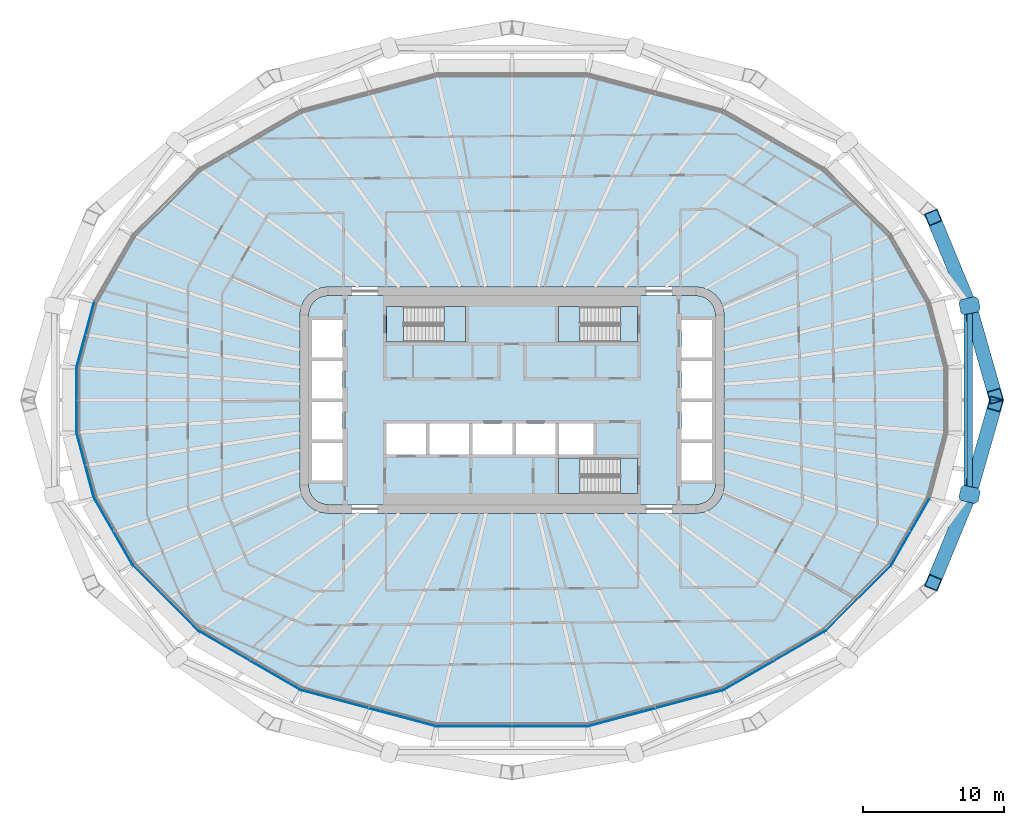
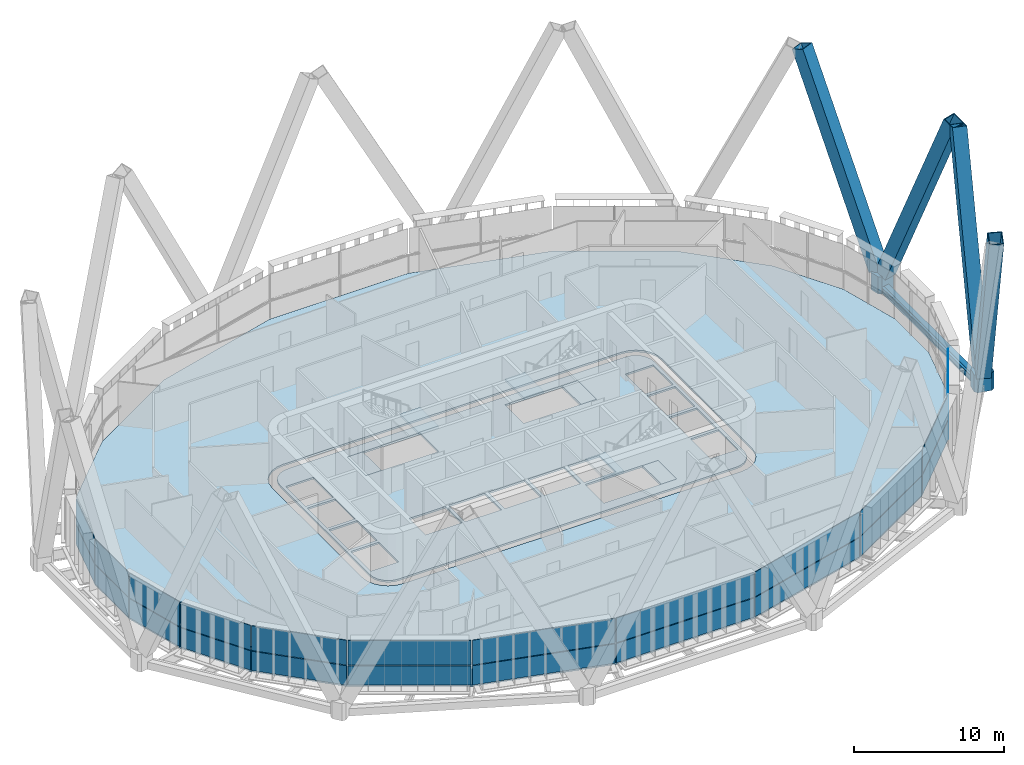
# One storey, part 12 of 25: 24 plates, 8 slabs, 6 members, 2 beams, 15 elements without a shape of their own.
"""IFC4 building model written with IfcOpenShell, lengths in metres."""

from ifc_helpers import new_model, si_unit, direction, frame, origin, origin_2d, place, context, subcontext, project, spatial, polyline, hollow_rectangle, i_section, outline, extrude, material, layer, layer_set, material_profile, profile_set, type_object, element, aggregate, save


model = new_model("IFC4")

# Units and contexts
model_context = context("Model", 3, precision=1e-05, world=origin(), true_north=direction((0.0, 1.0)))
body_context = subcontext(model_context, "Body", "Model", "MODEL_VIEW")
ifc_project = project(units=[si_unit("LENGTHUNIT", "METRE"), si_unit("AREAUNIT", "SQUARE_METRE"), si_unit("VOLUMEUNIT", "CUBIC_METRE"), si_unit("PLANEANGLEUNIT", "RADIAN"), si_unit("MASSUNIT", "GRAM", prefix="KILO")], contexts=[model_context])

# Site, building, storey
site_placement = place(None, origin())
site = spatial("IfcSite", under=ifc_project, at=site_placement, CompositionType="ELEMENT")
building_placement = place(site_placement, origin())
building = spatial("IfcBuilding", under=site, at=building_placement, Name="Sahrelin Media Tower", CompositionType="ELEMENT")
storey_placement = place(building_placement, frame((0.0, 0.0, 63.0)))
storey = spatial("IfcBuildingStorey", under=building, at=storey_placement, Name="L10", CompositionType="ELEMENT", Elevation=63.0)

# Members
ifc_material_1 = material(Name="Steel S460", Category="steel")
ifc_material_profile_1 = material_profile(ifc_material_1, hollow_rectangle(XDim=1.0, YDim=1.0, WallThickness=0.06005859375, at=origin_2d()), Name="Diagrid diagonal DG1")
ifc_profile_set_1 = profile_set([ifc_material_profile_1], Name="Steel S460")
member_type_1 = type_object("IfcMemberType", Name="Diagrid diagonal DG1", PredefinedType="BRACE", material=ifc_profile_set_1)
member_1_placement = place(storey_placement, frame((32.428466796875, 6.393798828125, 0.699951171875), z_axis=(0.104723795956, -0.367053461411, 0.924286039615), x_axis=(0.961626731907, 0.274361127862, 0.0)))
element("IfcMember", 1, at=member_1_placement, inside=storey, type_object=member_type_1, Name="Diagrid diagonal D01-00", PredefinedType="BRACE", context=body_context, shape_type="SweptSolid", body=[
    extrude(hollow_rectangle(XDim=1.0, YDim=1.0, WallThickness=0.06005859375, at=origin_2d()), origin(), (0.0, 0.0, 1.0), 16.66162109375),
])
for number, where, z_axis, x_axis, name in (
    (2, (32.2373046875, 6.943115234375, 0.699951171875), (-0.147434029779, 0.357371081902, 0.922252197982), (-0.92442176853, -0.381371726623, 0.0), "Diagrid diagonal D01-01"),
    (3, (32.2373046875, -6.943115234375, 0.699951171875), (-0.147434029779, -0.357371081902, 0.922252197982), (0.92442176853, -0.381371726623, 0.0), "Diagrid diagonal D01-22"),
):
    element("IfcMember", number, at=place(storey_placement, frame(where, z_axis=z_axis, x_axis=x_axis)), inside=storey, type_object=member_type_1, Name=name, PredefinedType="BRACE", context=body_context, shape_type="SweptSolid", body=[
        extrude(hollow_rectangle(XDim=1.0, YDim=1.0, WallThickness=0.06005859375, at=origin_2d()), origin(), (0.0, 0.0, 1.0), 16.698486328125),
    ])
member_2_placement = place(storey_placement, frame((32.428466796875, -6.393798828125, 0.699951171875), z_axis=(0.104723795956, 0.367053461411, 0.924286039615), x_axis=(-0.961626731907, 0.274361127862, 0.0)))
element("IfcMember", 4, at=member_2_placement, inside=storey, type_object=member_type_1, Name="Diagrid diagonal D01-23", PredefinedType="BRACE", context=body_context, shape_type="SweptSolid", body=[
    extrude(hollow_rectangle(XDim=1.0, YDim=1.0, WallThickness=0.06005859375, at=origin_2d()), origin(), (0.0, 0.0, 1.0), 16.66162109375),
])
ifc_material_profile_2 = material_profile(ifc_material_1, outline(polyline([(0.5, -0.550048828125), (0.699951171875, -0.35009765625), (0.699951171875, 0.35009765625), (0.5, 0.550048828125), (-0.5, 0.550048828125), (-0.699951171875, 0.35009765625), (-0.699951171875, -0.35009765625), (-0.5, -0.550048828125), (0.5, -0.550048828125)])), Name="Diagrid node block 1400")
ifc_profile_set_2 = profile_set([ifc_material_profile_2], Name="Steel S460")
member_type_2 = type_object("IfcMemberType", Name="Diagrid node block 1400", PredefinedType="USERDEFINED", material=ifc_profile_set_2)
for number, where, z_axis, x_axis, name in (
    (5, (32.34912109375, 6.671630859375, -0.699951171875), (0.0, 0.0, 1.0), (0.979387770926, 0.201989094163, 0.0), "Diagrid node N01-00"),
    (6, (32.34912109375, -6.671630859375, -0.699951171875), (0.0, 0.0, 1.0), (0.979387770926, -0.201989094163, 0.0), "Diagrid node N01-11"),
):
    element("IfcMember", number, at=place(storey_placement, frame(where, z_axis=z_axis, x_axis=x_axis)), inside=storey, type_object=member_type_2, Name=name, ObjectType="NODE", PredefinedType="USERDEFINED", context=body_context, shape_type="SweptSolid", body=[
        extrude(outline(polyline([(0.5, -0.550048828125), (0.699951171875, -0.35009765625), (0.699951171875, 0.35009765625), (0.5, 0.550048828125), (-0.5, 0.550048828125), (-0.699951171875, 0.35009765625), (-0.699951171875, -0.35009765625), (-0.5, -0.550048828125), (0.5, -0.550048828125)])), origin(), (0.0, 0.0, 1.0), 1.39990234375),
    ])

# Beams
ifc_material_profile_3 = material_profile(ifc_material_1, hollow_rectangle(XDim=0.39990234375, YDim=0.60009765625, WallThickness=0.030029296875, at=origin_2d()), Name="Diagrid ring beam RB1")
ifc_profile_set_3 = profile_set([ifc_material_profile_3], Name="Steel S460")
beam_type_1 = type_object("IfcBeamType", Name="Diagrid ring beam RB1", PredefinedType="BEAM", material=ifc_profile_set_3)
beam_1_placement = place(storey_placement, frame((32.34912109375, -6.671630859375, -0.449951171875), z_axis=(0.0, 1.0, 0.0), x_axis=(-1.0, 0.0, 0.0)))
element("IfcBeam", 7, at=beam_1_placement, inside=storey, type_object=beam_type_1, Name="Diagrid ring beam RB01-11", PredefinedType="BEAM", context=body_context, shape_type="SweptSolid", body=[
    extrude(hollow_rectangle(XDim=0.39990234375, YDim=0.60009765625, WallThickness=0.030029296875, at=origin_2d()), origin(), (0.0, 0.0, 1.0), 13.34326171875),
])
ifc_material_2 = material(Name="Steel S355", Category="steel")
ifc_material_profile_4 = material_profile(ifc_material_2, i_section(OverallWidth=0.1904296875, OverallDepth=0.45703125, WebThickness=0.009033203125, FlangeThickness=0.014404296875, FilletRadius=0.01025390625, at=origin_2d()), Name="UB 457x191x74")
ifc_profile_set_4 = profile_set([ifc_material_profile_4], Name="Steel S355")
beam_type_2 = type_object("IfcBeamType", Name="Tie chord TC5", PredefinedType="BEAM", material=ifc_profile_set_4)
beam_2_placement = place(storey_placement, frame((32.049072265625, 6.571533203125, -0.37841796875), z_axis=(0.0, -1.0, 0.0), x_axis=(1.0, 0.0, 0.0)))
element("IfcBeam", 8, at=beam_2_placement, inside=storey, type_object=beam_type_2, Name="Tie chord L10-01", PredefinedType="BEAM", context=body_context, shape_type="SweptSolid", body=[
    extrude(i_section(OverallWidth=0.1904296875, OverallDepth=0.45703125, WebThickness=0.009033203125, FlangeThickness=0.014404296875, FilletRadius=0.01025390625, at=origin_2d()), origin(), (0.0, 0.0, 1.0), 13.14306640625),
])

# Slabs
ifc_material_3 = material(Name="Concrete C40/50", Category="concrete")
ifc_layer_1 = layer(ifc_material_3, 0.14990234375)
ifc_layer_set_1 = layer_set([ifc_layer_1], Name="Composite floor slab 150")
slab_type_1 = type_object("IfcSlabType", Name="Composite floor slab 150", PredefinedType="FLOOR", material=ifc_layer_set_1)
placement_1 = place(storey_placement, frame((0.0, 0.0, -0.14990234375)))
element("IfcSlab", 9, at=placement_1, inside=storey, type_object=slab_type_1, Name="Floor slab L10", PredefinedType="FLOOR", context=body_context, shape_type="SweptSolid", body=[
    extrude(outline(polyline([(30.770263671875, -2.291748046875), (30.770263671875, 2.291748046875), (29.529296875, 6.923095703125), (26.800048828125, 11.650390625), (22.10595703125, 16.344482421875), (14.932861328125, 20.48583984375), (5.335693359375, 23.057373046875), (-5.335693359375, 23.057373046875), (-14.932861328125, 20.48583984375), (-22.10595703125, 16.344482421875), (-26.800048828125, 11.650390625), (-29.529296875, 6.923095703125), (-30.770263671875, 2.291748046875), (-30.770263671875, -2.291748046875), (-29.529296875, -6.923095703125), (-26.800048828125, -11.650390625), (-22.10595703125, -16.344482421875), (-14.932861328125, -20.48583984375), (-5.335693359375, -23.057373046875), (5.335693359375, -23.057373046875), (14.932861328125, -20.48583984375), (22.10595703125, -16.344482421875), (26.800048828125, -11.650390625), (29.529296875, -6.923095703125), (30.770263671875, -2.291748046875)]), holes=[polyline([(14.931884765625, 6.517578125), (15.0, 6.0), (15.0, -6.0), (14.931884765625, -6.517578125), (14.732177734375, -7.0), (14.414306640625, -7.414306640625), (14.0, -7.732177734375), (13.517578125, -7.931884765625), (13.0, -8.0), (-13.0, -8.0), (-13.517578125, -7.931884765625), (-14.0, -7.732177734375), (-14.414306640625, -7.414306640625), (-14.732177734375, -7.0), (-14.931884765625, -6.517578125), (-15.0, -6.0), (-15.0, 6.0), (-14.931884765625, 6.517578125), (-14.732177734375, 7.0), (-14.414306640625, 7.414306640625), (-14.0, 7.732177734375), (-13.517578125, 7.931884765625), (-13.0, 8.0), (13.0, 8.0), (13.517578125, 7.931884765625), (14.0, 7.732177734375), (14.414306640625, 7.414306640625), (14.732177734375, 7.0), (14.931884765625, 6.517578125)])]), origin(), (0.0, 0.0, 1.0), 0.14990234375),
])
ifc_layer_2 = layer(ifc_material_3, 0.14990234375)
ifc_layer_set_2 = layer_set([ifc_layer_2], Name="Core floor slab 150")
slab_type_2 = type_object("IfcSlabType", Name="Core floor slab 150", PredefinedType="FLOOR", material=ifc_layer_set_2)
element("IfcSlab", 10, at=placement_1, inside=storey, type_object=slab_type_2, Name="Core floor", PredefinedType="FLOOR", context=body_context, shape_type="SweptSolid", body=[
    extrude(outline(polyline([(-14.347412109375, 6.361083984375), (-14.39990234375, 5.960693359375), (-14.39990234375, -5.960693359375), (-14.347412109375, -6.361083984375), (-14.2080078125, -6.697509765625), (-13.986328125, -6.986328125), (-13.697509765625, -7.2080078125), (-13.361083984375, -7.347412109375), (-12.960693359375, -7.39990234375), (12.960693359375, -7.39990234375), (13.361083984375, -7.347412109375), (13.697509765625, -7.2080078125), (13.986328125, -6.986328125), (14.2080078125, -6.697509765625), (14.347412109375, -6.361083984375), (14.39990234375, -5.960693359375), (14.39990234375, 5.960693359375), (14.347412109375, 6.361083984375), (14.2080078125, 6.697509765625), (13.986328125, 6.986328125), (13.697509765625, 7.2080078125), (13.361083984375, 7.347412109375), (12.960693359375, 7.39990234375), (-12.960693359375, 7.39990234375), (-13.361083984375, 7.347412109375), (-13.697509765625, 7.2080078125), (-13.986328125, 6.986328125), (-14.2080078125, 6.697509765625), (-14.347412109375, 6.361083984375)]), holes=[polyline([(-12.0, 3.02490234375), (-12.0, 5.675048828125), (-14.14990234375, 5.675048828125), (-14.14990234375, 3.02490234375), (-12.0, 3.02490234375)]), polyline([(-14.14990234375, 0.125), (-12.0, 0.125), (-12.0, 2.77490234375), (-14.14990234375, 2.77490234375), (-14.14990234375, 0.125)]), polyline([(-14.14990234375, -0.125), (-14.14990234375, -2.77490234375), (-12.0, -2.77490234375), (-12.0, -0.125), (-14.14990234375, -0.125)]), polyline([(-12.0, -3.02490234375), (-14.14990234375, -3.02490234375), (-14.14990234375, -5.675048828125), (-12.0, -5.675048828125), (-12.0, -3.02490234375)]), polyline([(14.14990234375, 3.02490234375), (14.14990234375, 5.675048828125), (12.0, 5.675048828125), (12.0, 3.02490234375), (14.14990234375, 3.02490234375)]), polyline([(12.0, 0.125), (14.14990234375, 0.125), (14.14990234375, 2.77490234375), (12.0, 2.77490234375), (12.0, 0.125)]), polyline([(12.0, -0.125), (12.0, -2.77490234375), (14.14990234375, -2.77490234375), (14.14990234375, -0.125), (12.0, -0.125)]), polyline([(14.14990234375, -3.02490234375), (12.0, -3.02490234375), (12.0, -5.675048828125), (14.14990234375, -5.675048828125), (14.14990234375, -3.02490234375)]), polyline([(-6.074951171875, -3.85009765625), (-6.074951171875, -1.64990234375), (-8.875, -1.64990234375), (-8.875, -3.85009765625), (-6.074951171875, -3.85009765625)]), polyline([(-5.824951171875, -3.85009765625), (-3.02490234375, -3.85009765625), (-3.02490234375, -1.64990234375), (-5.824951171875, -1.64990234375), (-5.824951171875, -3.85009765625)]), polyline([(-2.77490234375, -1.64990234375), (-2.77490234375, -3.85009765625), (0.02490234375, -3.85009765625), (0.02490234375, -1.64990234375), (-2.77490234375, -1.64990234375)]), polyline([(3.074951171875, -1.64990234375), (0.27490234375, -1.64990234375), (0.27490234375, -3.85009765625), (3.074951171875, -3.85009765625), (3.074951171875, -1.64990234375)]), polyline([(5.77490234375, -3.85009765625), (5.77490234375, -1.64990234375), (3.324951171875, -1.64990234375), (3.324951171875, -3.85009765625), (5.77490234375, -3.85009765625)]), polyline([(-8.875, 6.60009765625), (-8.875, 4.10009765625), (-3.27490234375, 4.10009765625), (-3.27490234375, 6.60009765625), (-8.875, 6.60009765625)]), polyline([(3.27490234375, 4.10009765625), (8.875, 4.10009765625), (8.875, 6.60009765625), (3.27490234375, 6.60009765625), (3.27490234375, 4.10009765625)]), polyline([(3.27490234375, -4.10009765625), (3.27490234375, -6.60009765625), (8.875, -6.60009765625), (8.875, -4.10009765625), (3.27490234375, -4.10009765625)])]), origin(), (0.0, 0.0, 1.0), 0.14990234375),
])

# Curtain wall, plate
ifc_material_4 = material(Name="Champagne anodised aluminium 6063-T6", Category="aluminium")
ifc_layer_3 = layer(ifc_material_4, 0.14990234375)
ifc_layer_set_3 = layer_set([ifc_layer_3], Name="Tower ribbon curtain wall")
curtain_wall_type = type_object("IfcCurtainWallType", Name="Tower ribbon curtain wall", PredefinedType="NOTDEFINED", material=ifc_layer_set_3)
curtain_wall_1_placement = place(storey_placement, frame((-30.169189453125, 4.612548828125, 0.0), z_axis=(0.0, 0.0, 1.0), x_axis=(1.0, 0.0, 0.0)))
curtain_wall_1 = element("IfcCurtainWall", 11, at=curtain_wall_1_placement, inside=storey, type_object=curtain_wall_type, Name="L10:CW:L10-11", PredefinedType="NOTDEFINED")
ifc_material_5 = material(Name="Clear low-iron glazing", Category="glass")
ifc_layer_4 = layer(ifc_material_5, 0.0400390625)
ifc_layer_set_4 = layer_set([ifc_layer_4], Name="Glazing panel 40 mm CW1")
plate_type_1 = type_object("IfcPlateType", Name="Glazing panel 40 mm CW1", PredefinedType="CURTAIN_PANEL", material=ifc_layer_set_4)
plate_1_placement = place(storey_placement, frame((-29.580322265625, 6.8876953125, 1.6298828125), z_axis=(-0.96593251702, 0.258794073665, 0.0), x_axis=(-0.258794073665, -0.96593251702, 0.0)))
plate_1 = element("IfcPlate", 12, at=plate_1_placement, type_object=plate_type_1, Name="L10:CWP2:L10-11", PredefinedType="CURTAIN_PANEL", context=body_context, shape_type="SweptSolid", body=[
    extrude(outline(polyline([(0.0, 0.0), (4.699951171875, 0.0), (4.699951171875, 2.018798828125), (0.0, 2.018798828125), (0.0, 0.0)])), origin(), (0.0, 0.0, -1.0), 0.0400390625),
])

curtain_wall_2_placement = place(storey_placement, frame((-30.790283203125, 0.0, 0.0), z_axis=(0.0, 0.0, 1.0), x_axis=(1.0, 0.0, 0.0)))
curtain_wall_2 = element("IfcCurtainWall", 13, at=curtain_wall_2_placement, inside=storey, type_object=curtain_wall_type, Name="L10:CW:L10-12", PredefinedType="NOTDEFINED")
plate_2_placement = place(storey_placement, frame((-30.810302734375, 2.244384765625, 1.6298828125), z_axis=(-1.0, 0.0, 0.0), x_axis=(0.0, -1.0, 0.0)))
plate_2 = element("IfcPlate", 14, at=plate_2_placement, type_object=plate_type_1, Name="L10:CWP2:L10-12", PredefinedType="CURTAIN_PANEL", context=body_context, shape_type="SweptSolid", body=[
    extrude(outline(polyline([(0.0, 0.0), (4.48876953125, 0.0), (4.48876953125, 2.018798828125), (0.0, 2.018798828125), (0.0, 0.0)])), origin(), (0.0, 0.0, -1.0), 0.0400390625),
])

curtain_wall_3_placement = place(storey_placement, frame((-30.169189453125, -4.612548828125, 0.0), z_axis=(0.0, 0.0, 1.0), x_axis=(1.0, 0.0, 0.0)))
curtain_wall_3 = element("IfcCurtainWall", 15, at=curtain_wall_3_placement, inside=storey, type_object=curtain_wall_type, Name="L10:CW:L10-13", PredefinedType="NOTDEFINED")
plate_3_placement = place(storey_placement, frame((-30.796630859375, -2.347900390625, 1.6298828125), z_axis=(-0.96593251702, -0.258794073665, 0.0), x_axis=(0.258794073665, -0.96593251702, 0.0)))
plate_3 = element("IfcPlate", 16, at=plate_3_placement, type_object=plate_type_1, Name="L10:CWP2:L10-13", PredefinedType="CURTAIN_PANEL", context=body_context, shape_type="SweptSolid", body=[
    extrude(outline(polyline([(0.0, 0.0), (4.699951171875, 0.0), (4.699951171875, 2.018798828125), (0.0, 2.018798828125), (0.0, 0.0)])), origin(), (0.0, 0.0, -1.0), 0.0400390625),
])

curtain_wall_4_placement = place(storey_placement, frame((-28.181884765625, -9.296630859375, 0.0), z_axis=(0.0, 0.0, 1.0), x_axis=(1.0, 0.0, 0.0)))
curtain_wall_4 = element("IfcCurtainWall", 17, at=curtain_wall_4_placement, inside=storey, type_object=curtain_wall_type, Name="L10:CW:L10-14", PredefinedType="NOTDEFINED")
plate_4_placement = place(storey_placement, frame((-29.540283203125, -6.98388671875, 1.6298828125), z_axis=(-0.866041582202, -0.499971977112, 0.0), x_axis=(0.499971977112, -0.866041582202, 0.0)))
plate_4 = element("IfcPlate", 18, at=plate_4_placement, type_object=plate_type_1, Name="L10:CWP2:L10-14", PredefinedType="CURTAIN_PANEL", context=body_context, shape_type="SweptSolid", body=[
    extrude(outline(polyline([(0.0, 0.0), (5.364013671875, 0.0), (5.364013671875, 2.018798828125), (0.0, 2.018798828125), (0.0, 0.0)])), origin(), (0.0, 0.0, -1.0), 0.0400390625),
])

curtain_wall_5_placement = place(storey_placement, frame((-24.46728515625, -14.011474609375, 0.0), z_axis=(0.0, 0.0, 1.0), x_axis=(1.0, 0.0, 0.0)))
curtain_wall_5 = element("IfcCurtainWall", 19, at=curtain_wall_5_placement, inside=storey, type_object=curtain_wall_type, Name="L10:CW:L10-15", PredefinedType="NOTDEFINED")
plate_5_placement = place(storey_placement, frame((-26.794921875, -11.712158203125, 1.6298828125), z_axis=(-0.707088126231, -0.70712543565, 0.0), x_axis=(0.70712543565, -0.707088126231, 0.0)))
plate_5 = element("IfcPlate", 20, at=plate_5_placement, type_object=plate_type_1, Name="L10:CWP2:L10-15", PredefinedType="CURTAIN_PANEL", context=body_context, shape_type="SweptSolid", body=[
    extrude(outline(polyline([(0.0, 0.0), (6.543701171875, 0.0), (6.543701171875, 2.018798828125), (0.0, 2.018798828125), (0.0, 0.0)])), origin(), (0.0, 0.0, -1.0), 0.0400390625),
])

curtain_wall_6_placement = place(storey_placement, frame((-18.529296875, -18.432373046875, 0.0), z_axis=(0.0, 0.0, 1.0), x_axis=(1.0, 0.0, 0.0)))
curtain_wall_6 = element("IfcCurtainWall", 21, at=curtain_wall_6_placement, inside=storey, type_object=curtain_wall_type, Name="L10:CW:L10-16", PredefinedType="NOTDEFINED")
plate_6_placement = place(storey_placement, frame((-22.0849609375, -16.402587890625, 1.6298828125), z_axis=(-0.500019263395, -0.866014281772, 0.0), x_axis=(0.866014281772, -0.500019263395, 0.0)))
plate_6 = element("IfcPlate", 22, at=plate_6_placement, type_object=plate_type_1, Name="L10:CWP2:L10-16", PredefinedType="CURTAIN_PANEL", context=body_context, shape_type="SweptSolid", body=[
    extrude(outline(polyline([(0.0, 0.0), (8.188232421875, 0.0), (8.188232421875, 2.018798828125), (0.0, 2.018798828125), (0.0, 0.0)])), origin(), (0.0, 0.0, -1.0), 0.0400390625),
])

curtain_wall_7_placement = place(storey_placement, frame((-10.139404296875, -21.791015625, 0.0), z_axis=(0.0, 0.0, 1.0), x_axis=(1.0, 0.0, 0.0)))
curtain_wall_7 = element("IfcCurtainWall", 23, at=curtain_wall_7_placement, inside=storey, type_object=curtain_wall_type, Name="L10:CW:L10-17", PredefinedType="NOTDEFINED")
plate_7_placement = place(storey_placement, frame((-14.8974609375, -20.536865234375, 1.6298828125), z_axis=(-0.258805115102, -0.965929558714, 0.0), x_axis=(0.965929558714, -0.258805115102, 0.0)))
plate_7 = element("IfcPlate", 24, at=plate_7_placement, type_object=plate_type_1, Name="L10:CWP2:L10-17", PredefinedType="CURTAIN_PANEL", context=body_context, shape_type="SweptSolid", body=[
    extrude(outline(polyline([(0.0, 0.0), (9.8408203125, 0.0), (9.8408203125, 2.018798828125), (0.0, 2.018798828125), (0.0, 0.0)])), origin(), (0.0, 0.0, -1.0), 0.0400390625),
])

curtain_wall_8_placement = place(storey_placement, frame((0.0, -23.077392578125, 0.0), z_axis=(0.0, 0.0, 1.0), x_axis=(1.0, 0.0, 0.0)))
curtain_wall_8 = element("IfcCurtainWall", 25, at=curtain_wall_8_placement, inside=storey, type_object=curtain_wall_type, Name="L10:CW:L10-18", PredefinedType="NOTDEFINED")
plate_8_placement = place(storey_placement, frame((-5.288330078125, -23.097412109375, 1.6298828125), z_axis=(0.0, -1.0, 0.0), x_axis=(1.0, 0.0, 0.0)))
plate_8 = element("IfcPlate", 26, at=plate_8_placement, type_object=plate_type_1, Name="L10:CWP2:L10-18", PredefinedType="CURTAIN_PANEL", context=body_context, shape_type="SweptSolid", body=[
    extrude(outline(polyline([(0.0, 0.0), (10.57666015625, 0.0), (10.57666015625, 2.018798828125), (0.0, 2.018798828125), (0.0, 0.0)])), origin(), (0.0, 0.0, -1.0), 0.0400390625),
])

curtain_wall_9_placement = place(storey_placement, frame((10.139404296875, -21.791015625, 0.0), z_axis=(0.0, 0.0, 1.0), x_axis=(1.0, 0.0, 0.0)))
curtain_wall_9 = element("IfcCurtainWall", 27, at=curtain_wall_9_placement, inside=storey, type_object=curtain_wall_type, Name="L10:CW:L10-19", PredefinedType="NOTDEFINED")
plate_9_placement = place(storey_placement, frame((5.391845703125, -23.083740234375, 1.6298828125), z_axis=(0.258805115102, -0.965929558714, 0.0), x_axis=(0.965929558714, 0.258805115102, 0.0)))
plate_9 = element("IfcPlate", 28, at=plate_9_placement, type_object=plate_type_1, Name="L10:CWP2:L10-19", PredefinedType="CURTAIN_PANEL", context=body_context, shape_type="SweptSolid", body=[
    extrude(outline(polyline([(0.0, 0.0), (9.8408203125, 0.0), (9.8408203125, 2.018798828125), (0.0, 2.018798828125), (0.0, 0.0)])), origin(), (0.0, 0.0, -1.0), 0.0400390625),
])

curtain_wall_10_placement = place(storey_placement, frame((18.529296875, -18.4326171875, 0.0), z_axis=(0.0, 0.0, 1.0), x_axis=(1.0, 0.0, 0.0)))
curtain_wall_10 = element("IfcCurtainWall", 29, at=curtain_wall_10_placement, inside=storey, type_object=curtain_wall_type, Name="L10:CW:L10-20", PredefinedType="NOTDEFINED")
plate_10_placement = place(storey_placement, frame((14.993896484375, -20.496826171875, 1.6298828125), z_axis=(0.500019263395, -0.866014281772, 0.0), x_axis=(0.866014281772, 0.500019263395, 0.0)))
plate_10 = element("IfcPlate", 30, at=plate_10_placement, type_object=plate_type_1, Name="L10:CWP2:L10-20", PredefinedType="CURTAIN_PANEL", context=body_context, shape_type="SweptSolid", body=[
    extrude(outline(polyline([(0.0, 0.0), (8.188232421875, 0.0), (8.188232421875, 2.018798828125), (0.0, 2.018798828125), (0.0, 0.0)])), origin(), (0.0, 0.0, -1.0), 0.0400390625),
])

curtain_wall_11_placement = place(storey_placement, frame((24.46728515625, -14.011474609375, 0.0), z_axis=(0.0, 0.0, 1.0), x_axis=(1.0, 0.0, 0.0)))
curtain_wall_11 = element("IfcCurtainWall", 31, at=curtain_wall_11_placement, inside=storey, type_object=curtain_wall_type, Name="L10:CW:L10-21", PredefinedType="NOTDEFINED")
plate_11_placement = place(storey_placement, frame((22.167724609375, -16.339111328125, 1.6298828125), z_axis=(0.707088126231, -0.70712543565, 0.0), x_axis=(0.70712543565, 0.707088126231, 0.0)))
plate_11 = element("IfcPlate", 32, at=plate_11_placement, type_object=plate_type_1, Name="L10:CWP2:L10-21", PredefinedType="CURTAIN_PANEL", context=body_context, shape_type="SweptSolid", body=[
    extrude(outline(polyline([(0.0, 0.0), (6.543701171875, 0.0), (6.543701171875, 2.018798828125), (0.0, 2.018798828125), (0.0, 0.0)])), origin(), (0.0, 0.0, -1.0), 0.0400390625),
])

curtain_wall_12_placement = place(storey_placement, frame((28.181884765625, -9.296630859375, 0.0), z_axis=(0.0, 0.0, 1.0), x_axis=(1.0, 0.0, 0.0)))
curtain_wall_12 = element("IfcCurtainWall", 33, at=curtain_wall_12_placement, inside=storey, type_object=curtain_wall_type, Name="L10:CW:L10-22", PredefinedType="NOTDEFINED")
plate_12_placement = place(storey_placement, frame((26.8583984375, -11.62939453125, 1.6298828125), z_axis=(0.866041582202, -0.499971977112, 0.0), x_axis=(0.499971977112, 0.866041582202, 0.0)))
plate_12 = element("IfcPlate", 34, at=plate_12_placement, type_object=plate_type_1, Name="L10:CWP2:L10-22", PredefinedType="CURTAIN_PANEL", context=body_context, shape_type="SweptSolid", body=[
    extrude(outline(polyline([(0.0, 0.0), (5.364013671875, 0.0), (5.364013671875, 2.018798828125), (0.0, 2.018798828125), (0.0, 0.0)])), origin(), (0.0, 0.0, -1.0), 0.0400390625),
])

# Plate
ifc_material_6 = material(Name="Insulated spandrel panel")
ifc_layer_5 = layer(ifc_material_6, 0.06005859375)
ifc_layer_set_5 = layer_set([ifc_layer_5], Name="Spandrel panel 60 mm CW1")
plate_type_2 = type_object("IfcPlateType", Name="Spandrel panel 60 mm CW1", PredefinedType="SHEET", material=ifc_layer_set_5)
plate_13_placement = place(storey_placement, frame((-29.580322265625, 6.8876953125, 0.0), z_axis=(-0.96593251702, 0.258794073665, 0.0), x_axis=(-0.258794073665, -0.96593251702, 0.0)))
plate_13 = element("IfcPlate", 35, at=plate_13_placement, type_object=plate_type_2, Name="L10:CWP1:L10-11", PredefinedType="SHEET", context=body_context, shape_type="SweptSolid", body=[
    extrude(outline(polyline([(0.0, 0.0), (4.699951171875, 0.0), (4.699951171875, 1.570068359375), (0.0, 1.570068359375), (0.0, 0.0)])), origin(), (0.0, 0.0, -1.0), 0.06005859375),
])

aggregate(curtain_wall_1, [plate_13, plate_1])

plate_14_placement = place(storey_placement, frame((-30.810302734375, 2.244384765625, 0.0), z_axis=(-1.0, 0.0, 0.0), x_axis=(0.0, -1.0, 0.0)))
plate_14 = element("IfcPlate", 36, at=plate_14_placement, type_object=plate_type_2, Name="L10:CWP1:L10-12", PredefinedType="SHEET", context=body_context, shape_type="SweptSolid", body=[
    extrude(outline(polyline([(0.0, 0.0), (4.48876953125, 0.0), (4.48876953125, 1.570068359375), (0.0, 1.570068359375), (0.0, 0.0)])), origin(), (0.0, 0.0, -1.0), 0.06005859375),
])

aggregate(curtain_wall_2, [plate_14, plate_2])

plate_15_placement = place(storey_placement, frame((-30.796630859375, -2.347900390625, 0.0), z_axis=(-0.96593251702, -0.258794073665, 0.0), x_axis=(0.258794073665, -0.96593251702, 0.0)))
plate_15 = element("IfcPlate", 37, at=plate_15_placement, type_object=plate_type_2, Name="L10:CWP1:L10-13", PredefinedType="SHEET", context=body_context, shape_type="SweptSolid", body=[
    extrude(outline(polyline([(0.0, 0.0), (4.699951171875, 0.0), (4.699951171875, 1.570068359375), (0.0, 1.570068359375), (0.0, 0.0)])), origin(), (0.0, 0.0, -1.0), 0.06005859375),
])

aggregate(curtain_wall_3, [plate_15, plate_3])

plate_16_placement = place(storey_placement, frame((-29.540283203125, -6.98388671875, 0.0), z_axis=(-0.866041582202, -0.499971977112, 0.0), x_axis=(0.499971977112, -0.866041582202, 0.0)))
plate_16 = element("IfcPlate", 38, at=plate_16_placement, type_object=plate_type_2, Name="L10:CWP1:L10-14", PredefinedType="SHEET", context=body_context, shape_type="SweptSolid", body=[
    extrude(outline(polyline([(0.0, 0.0), (5.364013671875, 0.0), (5.364013671875, 1.570068359375), (0.0, 1.570068359375), (0.0, 0.0)])), origin(), (0.0, 0.0, -1.0), 0.06005859375),
])

aggregate(curtain_wall_4, [plate_16, plate_4])

plate_17_placement = place(storey_placement, frame((-26.794921875, -11.712158203125, 0.0), z_axis=(-0.707088126231, -0.70712543565, 0.0), x_axis=(0.70712543565, -0.707088126231, 0.0)))
plate_17 = element("IfcPlate", 39, at=plate_17_placement, type_object=plate_type_2, Name="L10:CWP1:L10-15", PredefinedType="SHEET", context=body_context, shape_type="SweptSolid", body=[
    extrude(outline(polyline([(0.0, 0.0), (6.543701171875, 0.0), (6.543701171875, 1.570068359375), (0.0, 1.570068359375), (0.0, 0.0)])), origin(), (0.0, 0.0, -1.0), 0.06005859375),
])

aggregate(curtain_wall_5, [plate_17, plate_5])

plate_18_placement = place(storey_placement, frame((-22.0849609375, -16.402587890625, 0.0), z_axis=(-0.500019263395, -0.866014281772, 0.0), x_axis=(0.866014281772, -0.500019263395, 0.0)))
plate_18 = element("IfcPlate", 40, at=plate_18_placement, type_object=plate_type_2, Name="L10:CWP1:L10-16", PredefinedType="SHEET", context=body_context, shape_type="SweptSolid", body=[
    extrude(outline(polyline([(0.0, 0.0), (8.188232421875, 0.0), (8.188232421875, 1.570068359375), (0.0, 1.570068359375), (0.0, 0.0)])), origin(), (0.0, 0.0, -1.0), 0.06005859375),
])

aggregate(curtain_wall_6, [plate_18, plate_6])

plate_19_placement = place(storey_placement, frame((-14.8974609375, -20.536865234375, 0.0), z_axis=(-0.258805115102, -0.965929558714, 0.0), x_axis=(0.965929558714, -0.258805115102, 0.0)))
plate_19 = element("IfcPlate", 41, at=plate_19_placement, type_object=plate_type_2, Name="L10:CWP1:L10-17", PredefinedType="SHEET", context=body_context, shape_type="SweptSolid", body=[
    extrude(outline(polyline([(0.0, 0.0), (9.8408203125, 0.0), (9.8408203125, 1.570068359375), (0.0, 1.570068359375), (0.0, 0.0)])), origin(), (0.0, 0.0, -1.0), 0.06005859375),
])

aggregate(curtain_wall_7, [plate_19, plate_7])

plate_20_placement = place(storey_placement, frame((-5.288330078125, -23.097412109375, 0.0), z_axis=(0.0, -1.0, 0.0), x_axis=(1.0, 0.0, 0.0)))
plate_20 = element("IfcPlate", 42, at=plate_20_placement, type_object=plate_type_2, Name="L10:CWP1:L10-18", PredefinedType="SHEET", context=body_context, shape_type="SweptSolid", body=[
    extrude(outline(polyline([(0.0, 0.0), (10.57666015625, 0.0), (10.57666015625, 1.570068359375), (0.0, 1.570068359375), (0.0, 0.0)])), origin(), (0.0, 0.0, -1.0), 0.06005859375),
])

aggregate(curtain_wall_8, [plate_20, plate_8])

plate_21_placement = place(storey_placement, frame((5.391845703125, -23.083740234375, 0.0), z_axis=(0.258805115102, -0.965929558714, 0.0), x_axis=(0.965929558714, 0.258805115102, 0.0)))
plate_21 = element("IfcPlate", 43, at=plate_21_placement, type_object=plate_type_2, Name="L10:CWP1:L10-19", PredefinedType="SHEET", context=body_context, shape_type="SweptSolid", body=[
    extrude(outline(polyline([(0.0, 0.0), (9.8408203125, 0.0), (9.8408203125, 1.570068359375), (0.0, 1.570068359375), (0.0, 0.0)])), origin(), (0.0, 0.0, -1.0), 0.06005859375),
])

aggregate(curtain_wall_9, [plate_21, plate_9])

plate_22_placement = place(storey_placement, frame((14.993896484375, -20.496826171875, 0.0), z_axis=(0.500019263395, -0.866014281772, 0.0), x_axis=(0.866014281772, 0.500019263395, 0.0)))
plate_22 = element("IfcPlate", 44, at=plate_22_placement, type_object=plate_type_2, Name="L10:CWP1:L10-20", PredefinedType="SHEET", context=body_context, shape_type="SweptSolid", body=[
    extrude(outline(polyline([(0.0, 0.0), (8.188232421875, 0.0), (8.188232421875, 1.570068359375), (0.0, 1.570068359375), (0.0, 0.0)])), origin(), (0.0, 0.0, -1.0), 0.06005859375),
])

aggregate(curtain_wall_10, [plate_22, plate_10])

plate_23_placement = place(storey_placement, frame((22.167724609375, -16.339111328125, 0.0), z_axis=(0.707088126231, -0.70712543565, 0.0), x_axis=(0.70712543565, 0.707088126231, 0.0)))
plate_23 = element("IfcPlate", 45, at=plate_23_placement, type_object=plate_type_2, Name="L10:CWP1:L10-21", PredefinedType="SHEET", context=body_context, shape_type="SweptSolid", body=[
    extrude(outline(polyline([(0.0, 0.0), (6.543701171875, 0.0), (6.543701171875, 1.570068359375), (0.0, 1.570068359375), (0.0, 0.0)])), origin(), (0.0, 0.0, -1.0), 0.06005859375),
])

aggregate(curtain_wall_11, [plate_23, plate_11])

plate_24_placement = place(storey_placement, frame((26.8583984375, -11.62939453125, 0.0), z_axis=(0.866041582202, -0.499971977112, 0.0), x_axis=(0.499971977112, 0.866041582202, 0.0)))
plate_24 = element("IfcPlate", 46, at=plate_24_placement, type_object=plate_type_2, Name="L10:CWP1:L10-22", PredefinedType="SHEET", context=body_context, shape_type="SweptSolid", body=[
    extrude(outline(polyline([(0.0, 0.0), (5.364013671875, 0.0), (5.364013671875, 1.570068359375), (0.0, 1.570068359375), (0.0, 0.0)])), origin(), (0.0, 0.0, -1.0), 0.06005859375),
])

aggregate(curtain_wall_12, [plate_24, plate_12])

# Stair, slabs
stair_type = type_object("IfcStairType", Name="Exit stair 1200", PredefinedType="HALF_TURN_STAIR", material=ifc_material_3)
placement_2 = place(storey_placement, origin())
stair_1 = element("IfcStair", 47, at=placement_2, inside=storey, type_object=stair_type, Name="L10 Exit stair ST1", PredefinedType="HALF_TURN_STAIR")
ifc_layer_6 = layer(ifc_material_3, 0.199951171875)
ifc_layer_set_6 = layer_set([ifc_layer_6], Name="Stair landing 200")
slab_type_3 = type_object("IfcSlabType", Name="Stair landing 200", PredefinedType="LANDING", material=ifc_layer_set_6)
placement_3 = place(storey_placement, frame((0.0, 0.0, 1.89990234375)))
slab_3 = element("IfcSlab", 48, at=placement_3, type_object=slab_type_3, Name="ST1 landing 1", PredefinedType="LANDING", context=body_context, shape_type="SweptSolid", body=[
    extrude(outline(polyline([(-4.81494140625, 4.10009765625), (-3.27490234375, 4.10009765625), (-3.27490234375, 6.60009765625), (-4.81494140625, 6.60009765625), (-4.81494140625, 4.10009765625)])), origin(), (0.0, 0.0, 1.0), 0.2001953125),
])
placement_4 = place(storey_placement, frame((0.0, 0.0, -0.199951171875)))
slab_4 = element("IfcSlab", 49, at=placement_4, type_object=slab_type_3, Name="ST1 landing 2", PredefinedType="LANDING", context=body_context, shape_type="SweptSolid", body=[
    extrude(outline(polyline([(-8.875, 4.10009765625), (-7.675048828125, 4.10009765625), (-7.675048828125, 6.60009765625), (-8.875, 6.60009765625), (-8.875, 4.10009765625)])), origin(), (0.0, 0.0, 1.0), 0.199951171875),
])
aggregate(stair_1, [slab_3, slab_4])

stair_2 = element("IfcStair", 50, at=placement_2, inside=storey, type_object=stair_type, Name="L10 Exit stair ST3", PredefinedType="HALF_TURN_STAIR")
slab_5 = element("IfcSlab", 51, at=placement_3, type_object=slab_type_3, Name="ST3 landing 1", PredefinedType="LANDING", context=body_context, shape_type="SweptSolid", body=[
    extrude(outline(polyline([(4.81494140625, 6.60009765625), (3.27490234375, 6.60009765625), (3.27490234375, 4.10009765625), (4.81494140625, 4.10009765625), (4.81494140625, 6.60009765625)])), origin(), (0.0, 0.0, 1.0), 0.2001953125),
])
slab_6 = element("IfcSlab", 52, at=placement_4, type_object=slab_type_3, Name="ST3 landing 2", PredefinedType="LANDING", context=body_context, shape_type="SweptSolid", body=[
    extrude(outline(polyline([(8.875, 6.60009765625), (7.675048828125, 6.60009765625), (7.675048828125, 4.10009765625), (8.875, 4.10009765625), (8.875, 6.60009765625)])), origin(), (0.0, 0.0, 1.0), 0.199951171875),
])
aggregate(stair_2, [slab_5, slab_6])

stair_3 = element("IfcStair", 53, at=placement_2, inside=storey, type_object=stair_type, Name="L10 Exit stair ST2", PredefinedType="HALF_TURN_STAIR")
slab_7 = element("IfcSlab", 54, at=placement_3, type_object=slab_type_3, Name="ST2 landing 1", PredefinedType="LANDING", context=body_context, shape_type="SweptSolid", body=[
    extrude(outline(polyline([(4.81494140625, -4.10009765625), (3.27490234375, -4.10009765625), (3.27490234375, -6.60009765625), (4.81494140625, -6.60009765625), (4.81494140625, -4.10009765625)])), origin(), (0.0, 0.0, 1.0), 0.2001953125),
])
slab_8 = element("IfcSlab", 55, at=placement_4, type_object=slab_type_3, Name="ST2 landing 2", PredefinedType="LANDING", context=body_context, shape_type="SweptSolid", body=[
    extrude(outline(polyline([(8.875, -4.10009765625), (7.675048828125, -4.10009765625), (7.675048828125, -6.60009765625), (8.875, -6.60009765625), (8.875, -4.10009765625)])), origin(), (0.0, 0.0, 1.0), 0.199951171875),
])
aggregate(stair_3, [slab_7, slab_8])

save(model, "model.ifc")
